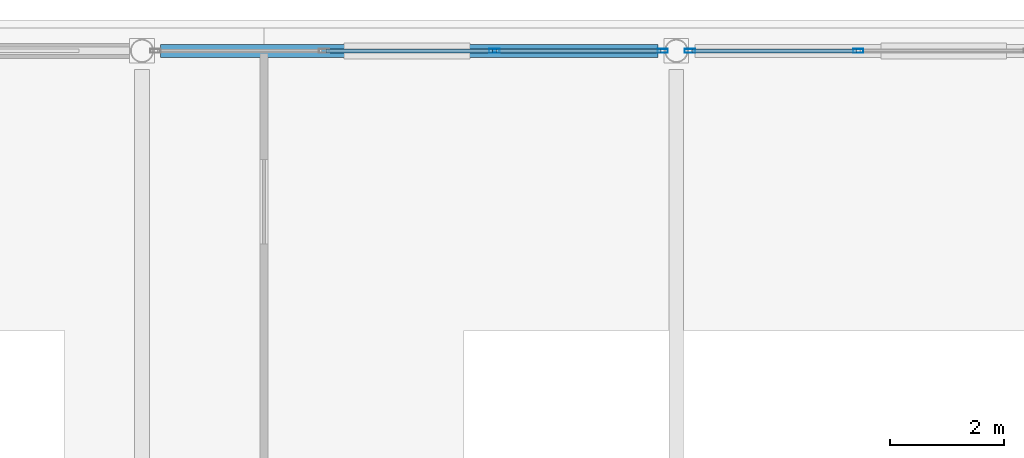
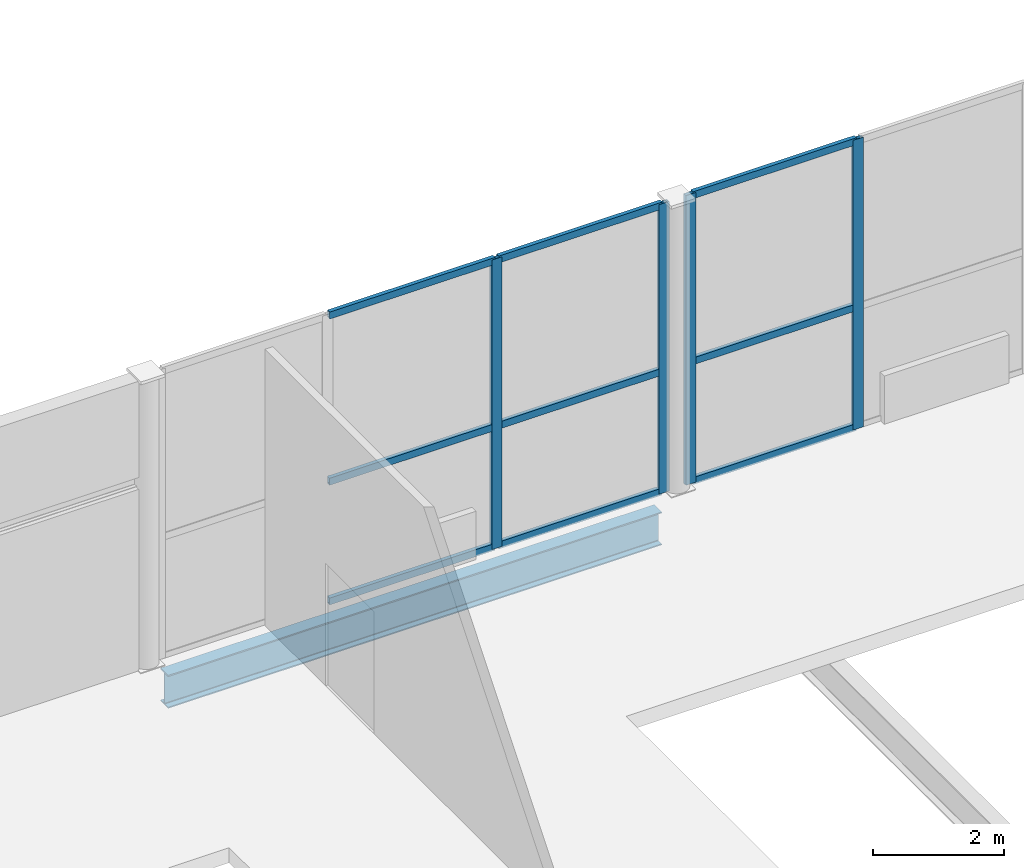
# One storey, part 41 of 83: 13 members, 1 beam, 2 elements without a shape of their own.
"""IFC4 building model written with IfcOpenShell, lengths in metres."""

from ifc_helpers import new_model, si_unit, direction, frame, origin, origin_2d, place, context, subcontext, project, spatial, hollow_rectangle, i_section, extrude, material, layer, layer_set, material_profile, profile_set, type_object, element, aggregate, save


model = new_model("IFC4")

# Units and contexts
model_context = context("Model", 3, precision=1e-05, world=origin(), true_north=direction((0.0, 1.0)))
body_context = subcontext(model_context, "Body", "Model", "MODEL_VIEW")
ifc_project = project(units=[si_unit("LENGTHUNIT", "METRE"), si_unit("AREAUNIT", "SQUARE_METRE"), si_unit("VOLUMEUNIT", "CUBIC_METRE"), si_unit("PLANEANGLEUNIT", "RADIAN"), si_unit("MASSUNIT", "GRAM", prefix="KILO")], contexts=[model_context])

# Site, building, storey
site_placement = place(None, origin())
site = spatial("IfcSite", under=ifc_project, at=site_placement, CompositionType="ELEMENT")
building_placement = place(site_placement, origin())
building = spatial("IfcBuilding", under=site, at=building_placement, Name="Quillay Park Conservatory", CompositionType="ELEMENT")
storey_placement = place(building_placement, origin())
storey = spatial("IfcBuildingStorey", under=building, at=storey_placement, Name="L00", CompositionType="ELEMENT", Elevation=0.0)

# Curtain wall, members
ifc_material_1 = material(Name="Thermally Broken Anodised Aluminium 6063-T6", Category="aluminium")
ifc_layer = layer(ifc_material_1, 0.219970703125)
ifc_layer_set = layer_set([ifc_layer], Name="UNITISED CURTAIN WALL CONSERVATORY (Thermally Broken Anodised Aluminium 6063-T6)")
curtain_wall_type = type_object("IfcCurtainWallType", Name="UNITISED CURTAIN WALL CONSERVATORY", PredefinedType="USERDEFINED", material=ifc_layer_set)
curtain_wall_1_placement = place(storey_placement, origin())
curtain_wall_1 = element("IfcCurtainWall", 1, at=curtain_wall_1_placement, inside=storey, type_object=curtain_wall_type, Name="L00 Unitised Curtain Wall 150", ObjectType="UNITISED CURTAIN WALL", PredefinedType="USERDEFINED")
ifc_material_2 = material(Name="Thermally Broken Anodised Aluminium 6063-T6", Category="aluminium")
ifc_material_profile_1 = material_profile(ifc_material_2, hollow_rectangle(XDim=0.070068359375, YDim=0.179931640625, WallThickness=0.00390625, at=origin_2d()), Name="AL70x180x4")
ifc_profile_set_1 = profile_set([ifc_material_profile_1], Name="Thermally Broken Anodised Aluminium 6063-T6")
member_type_1 = type_object("IfcMemberType", Name="CURTAIN WALL MULLION 70 X180", PredefinedType="MULLION", material=ifc_profile_set_1)
member_1_placement = place(storey_placement, frame((55.53076171875, 113.39990234375, 0.0), z_axis=(0.0, 0.0, 1.0), x_axis=(0.0, 1.0, 0.0)))
member_1 = element("IfcMember", 2, at=member_1_placement, type_object=member_type_1, Name="CW-C1 mullion 3", PredefinedType="MULLION", context=body_context, shape_type="SweptSolid", body=[
    extrude(hollow_rectangle(XDim=0.070068359375, YDim=0.179931640625, WallThickness=0.00390625, at=origin_2d()), origin(), (0.0, 0.0, 1.0), 5.39990234375),
])
member_2_placement = place(storey_placement, frame((58.479736328125, 113.39990234375, 0.0), z_axis=(0.0, 0.0, 1.0), x_axis=(0.0, 1.0, 0.0)))
member_2 = element("IfcMember", 3, at=member_2_placement, type_object=member_type_1, Name="CW-C1 mullion 4", PredefinedType="MULLION", context=body_context, shape_type="SweptSolid", body=[
    extrude(hollow_rectangle(XDim=0.070068359375, YDim=0.179931640625, WallThickness=0.00390625, at=origin_2d()), origin(), (0.0, 0.0, 1.0), 5.39990234375),
])

curtain_wall_2_placement = place(storey_placement, origin())
curtain_wall_2 = element("IfcCurtainWall", 4, at=curtain_wall_2_placement, inside=storey, type_object=curtain_wall_type, Name="L00 Unitised Curtain Wall 152", ObjectType="UNITISED CURTAIN WALL", PredefinedType="USERDEFINED")
member_3_placement = place(storey_placement, frame((58.95361328125, 113.39990234375, 0.0), z_axis=(0.0, 0.0, 1.0), x_axis=(0.0, 1.0, 0.0)))
member_3 = element("IfcMember", 5, at=member_3_placement, type_object=member_type_1, Name="CW-C1 mullion 1", PredefinedType="MULLION", context=body_context, shape_type="SweptSolid", body=[
    extrude(hollow_rectangle(XDim=0.070068359375, YDim=0.179931640625, WallThickness=0.00390625, at=origin_2d()), origin(), (0.0, 0.0, 1.0), 5.39990234375),
])
member_4_placement = place(storey_placement, frame((61.902587890625, 113.39990234375, 0.0), z_axis=(0.0, 0.0, 1.0), x_axis=(0.0, 1.0, 0.0)))
member_4 = element("IfcMember", 6, at=member_4_placement, type_object=member_type_1, Name="CW-C1 mullion 2", PredefinedType="MULLION", context=body_context, shape_type="SweptSolid", body=[
    extrude(hollow_rectangle(XDim=0.070068359375, YDim=0.179931640625, WallThickness=0.00390625, at=origin_2d()), origin(), (0.0, 0.0, 1.0), 5.39990234375),
])

# Member
ifc_material_3 = material(Name="Thermally Broken Anodised Aluminium 6063-T6", Category="aluminium")
ifc_material_profile_2 = material_profile(ifc_material_3, hollow_rectangle(XDim=0.070068359375, YDim=0.1298828125, WallThickness=0.003173828125, at=origin_2d()), Name="AL70x130x3.2")
ifc_profile_set_2 = profile_set([ifc_material_profile_2], Name="Thermally Broken Anodised Aluminium 6063-T6")
member_type_2 = type_object("IfcMemberType", Name="CURTAIN WALL TRANSOM 70 X130", PredefinedType="USERDEFINED", material=ifc_profile_set_2)
member_5_placement = place(storey_placement, frame((52.58203125, 113.39990234375, 0.034912109375), z_axis=(1.0, 0.0, 0.0), x_axis=(0.0, 1.0, 0.0)))
member_5 = element("IfcMember", 7, at=member_5_placement, type_object=member_type_2, Name="CW-C1 transom 2.1", ObjectType="TRANSOM", PredefinedType="USERDEFINED", context=body_context, shape_type="SweptSolid", body=[
    extrude(hollow_rectangle(XDim=0.070068359375, YDim=0.1298828125, WallThickness=0.003173828125, at=origin_2d()), origin(), (0.0, 0.0, 1.0), 2.913818359375),
])

member_6_placement = place(storey_placement, frame((52.58203125, 113.39990234375, 2.26806640625), z_axis=(1.0, 0.0, 0.0), x_axis=(0.0, 1.0, 0.0)))
member_6 = element("IfcMember", 8, at=member_6_placement, type_object=member_type_2, Name="CW-C1 transom 2.2", ObjectType="TRANSOM", PredefinedType="USERDEFINED", context=body_context, shape_type="SweptSolid", body=[
    extrude(hollow_rectangle(XDim=0.070068359375, YDim=0.1298828125, WallThickness=0.003173828125, at=origin_2d()), origin(), (0.0, 0.0, 1.0), 2.913818359375),
])

member_7_placement = place(storey_placement, frame((52.58203125, 113.39990234375, 5.364990234375), z_axis=(1.0, 0.0, 0.0), x_axis=(0.0, 1.0, 0.0)))
member_7 = element("IfcMember", 9, at=member_7_placement, type_object=member_type_2, Name="CW-C1 transom 2.3", ObjectType="TRANSOM", PredefinedType="USERDEFINED", context=body_context, shape_type="SweptSolid", body=[
    extrude(hollow_rectangle(XDim=0.070068359375, YDim=0.1298828125, WallThickness=0.003173828125, at=origin_2d()), origin(), (0.0, 0.0, 1.0), 2.913818359375),
])

member_8_placement = place(storey_placement, frame((55.56591796875, 113.39990234375, 0.034912109375), z_axis=(1.0, 0.0, 0.0), x_axis=(0.0, 1.0, 0.0)))
member_8 = element("IfcMember", 10, at=member_8_placement, type_object=member_type_2, Name="CW-C1 transom 3.1", ObjectType="TRANSOM", PredefinedType="USERDEFINED", context=body_context, shape_type="SweptSolid", body=[
    extrude(hollow_rectangle(XDim=0.070068359375, YDim=0.1298828125, WallThickness=0.003173828125, at=origin_2d()), origin(), (0.0, 0.0, 1.0), 2.878662109375),
])

member_9_placement = place(storey_placement, frame((55.56591796875, 113.39990234375, 2.26806640625), z_axis=(1.0, 0.0, 0.0), x_axis=(0.0, 1.0, 0.0)))
member_9 = element("IfcMember", 11, at=member_9_placement, type_object=member_type_2, Name="CW-C1 transom 3.2", ObjectType="TRANSOM", PredefinedType="USERDEFINED", context=body_context, shape_type="SweptSolid", body=[
    extrude(hollow_rectangle(XDim=0.070068359375, YDim=0.1298828125, WallThickness=0.003173828125, at=origin_2d()), origin(), (0.0, 0.0, 1.0), 2.878662109375),
])

member_10_placement = place(storey_placement, frame((55.56591796875, 113.39990234375, 5.364990234375), z_axis=(1.0, 0.0, 0.0), x_axis=(0.0, 1.0, 0.0)))
member_10 = element("IfcMember", 12, at=member_10_placement, type_object=member_type_2, Name="CW-C1 transom 3.3", ObjectType="TRANSOM", PredefinedType="USERDEFINED", context=body_context, shape_type="SweptSolid", body=[
    extrude(hollow_rectangle(XDim=0.070068359375, YDim=0.1298828125, WallThickness=0.003173828125, at=origin_2d()), origin(), (0.0, 0.0, 1.0), 2.878662109375),
])

aggregate(curtain_wall_1, [member_1, member_2, member_5, member_6, member_7, member_8, member_9, member_10])

member_11_placement = place(storey_placement, frame((58.98876953125, 113.39990234375, 0.034912109375), z_axis=(1.0, 0.0, 0.0), x_axis=(0.0, 1.0, 0.0)))
member_11 = element("IfcMember", 13, at=member_11_placement, type_object=member_type_2, Name="CW-C1 transom 1.1", ObjectType="TRANSOM", PredefinedType="USERDEFINED", context=body_context, shape_type="SweptSolid", body=[
    extrude(hollow_rectangle(XDim=0.070068359375, YDim=0.1298828125, WallThickness=0.003173828125, at=origin_2d()), origin(), (0.0, 0.0, 1.0), 2.878662109375),
])

member_12_placement = place(storey_placement, frame((58.98876953125, 113.39990234375, 2.26806640625), z_axis=(1.0, 0.0, 0.0), x_axis=(0.0, 1.0, 0.0)))
member_12 = element("IfcMember", 14, at=member_12_placement, type_object=member_type_2, Name="CW-C1 transom 1.2", ObjectType="TRANSOM", PredefinedType="USERDEFINED", context=body_context, shape_type="SweptSolid", body=[
    extrude(hollow_rectangle(XDim=0.070068359375, YDim=0.1298828125, WallThickness=0.003173828125, at=origin_2d()), origin(), (0.0, 0.0, 1.0), 2.878662109375),
])

member_13_placement = place(storey_placement, frame((58.98876953125, 113.39990234375, 5.364990234375), z_axis=(1.0, 0.0, 0.0), x_axis=(0.0, 1.0, 0.0)))
member_13 = element("IfcMember", 15, at=member_13_placement, type_object=member_type_2, Name="CW-C1 transom 1.3", ObjectType="TRANSOM", PredefinedType="USERDEFINED", context=body_context, shape_type="SweptSolid", body=[
    extrude(hollow_rectangle(XDim=0.070068359375, YDim=0.1298828125, WallThickness=0.003173828125, at=origin_2d()), origin(), (0.0, 0.0, 1.0), 2.878662109375),
])

aggregate(curtain_wall_2, [member_3, member_4, member_11, member_12, member_13])

# Beam
ifc_material_4 = material(Name="Steel ASTM A992 Grade 50", Category="steel")
ifc_material_profile_3 = material_profile(ifc_material_4, i_section(OverallWidth=0.22998046875, OverallDepth=0.616943359375, WebThickness=0.01318359375, FlangeThickness=0.022216796875, FilletRadius=0.014892578125, at=origin_2d()), Name="W610x140")
ifc_profile_set_3 = profile_set([ifc_material_profile_3], Name="Steel ASTM A992 Grade 50")
beam_type = type_object("IfcBeamType", Name="PRIMARY FLOOR GIRDER W610 X140", PredefinedType="BEAM", material=ifc_profile_set_3)
beam_placement = place(storey_placement, frame((49.68603515625, 113.39990234375, -0.58837890625), z_axis=(1.0, 0.0, 0.0), x_axis=(0.0, 1.0, 0.0)))
element("IfcBeam", 16, at=beam_placement, inside=storey, type_object=beam_type, Name="L00 beam BM-V1L0-1622", PredefinedType="BEAM", context=body_context, shape_type="SweptSolid", body=[
    extrude(i_section(OverallWidth=0.22998046875, OverallDepth=0.616943359375, WebThickness=0.01318359375, FlangeThickness=0.022216796875, FilletRadius=0.014892578125, at=origin_2d()), origin(), (0.0, 0.0, 1.0), 8.70556640625),
])

save(model, "model.ifc")
